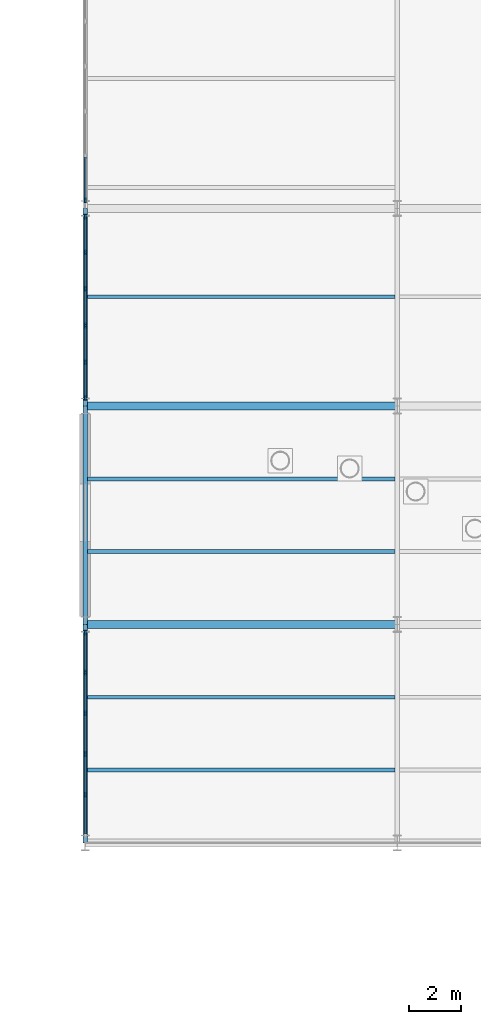
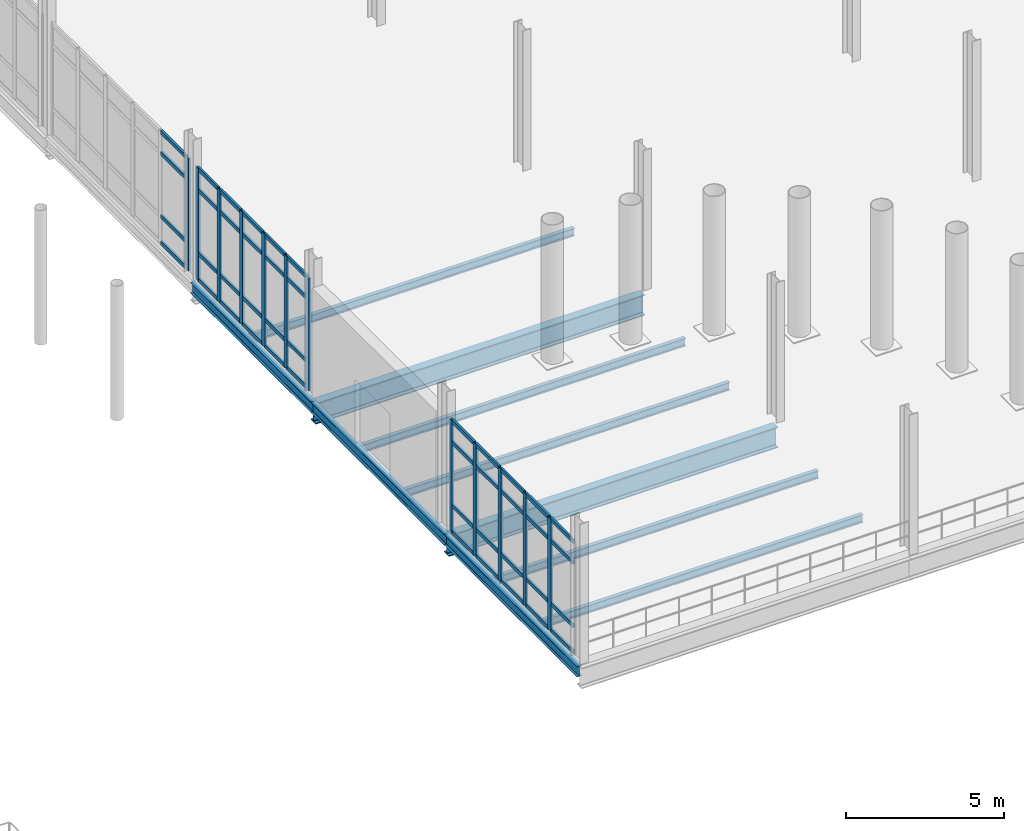
# One storey, part 56 of 111: 56 members, 10 beams, 3 elements without a shape of their own.
"""IFC4 building model written with IfcOpenShell, lengths in metres."""

from ifc_helpers import new_model, si_unit, direction, frame, origin, origin_2d, place, context, subcontext, project, spatial, rectangle, i_section, extrude, material, layer, layer_set, material_profile, profile_set, type_object, element, aggregate, save


model = new_model("IFC4")

# Units and contexts
model_context = context("Model", 3, precision=1e-05, world=origin(), true_north=direction((0.0, 1.0)))
body_context = subcontext(model_context, "Body", "Model", "MODEL_VIEW")
ifc_project = project(units=[si_unit("LENGTHUNIT", "METRE"), si_unit("AREAUNIT", "SQUARE_METRE"), si_unit("VOLUMEUNIT", "CUBIC_METRE"), si_unit("PLANEANGLEUNIT", "RADIAN"), si_unit("MASSUNIT", "GRAM", prefix="KILO"), si_unit("THERMODYNAMICTEMPERATUREUNIT", "KELVIN"), si_unit("POWERUNIT", "WATT")], contexts=[model_context])

# Site, building, storey
site_placement = place(None, origin())
site = spatial("IfcSite", under=ifc_project, at=site_placement, CompositionType="ELEMENT")
building_placement = place(site_placement, origin())
building = spatial("IfcBuilding", under=site, at=building_placement, Name="Tembeka Court Mobility Hub", CompositionType="ELEMENT")
storey_placement = place(building_placement, origin())
storey = spatial("IfcBuildingStorey", under=building, at=storey_placement, Name="L00", CompositionType="ELEMENT", Elevation=0.0)

# Beams
ifc_material_1 = material(Name="Steel S355", Category="steel")
ifc_material_profile_1 = material_profile(ifc_material_1, i_section(OverallWidth=0.177978515625, OverallDepth=0.406005859375, WebThickness=0.0078125, FlangeThickness=0.0126953125, FilletRadius=0.01025390625, at=origin_2d()), Name="UKB 406x178x60")
ifc_profile_set_1 = profile_set([ifc_material_profile_1], Name="Steel S355")
beam_type_1 = type_object("IfcBeamType", Name="BM-B02", PredefinedType="BEAM", material=ifc_profile_set_1)
for number, where, z_axis, x_axis, name in (
    (1, (116.39990234375, 63.60009765625, -0.48291015625), (0.0, 1.0, 0.0), (-1.0, 0.0, 0.0), "Beam B02 (BM-L00-Y0278)"),
    (2, (116.39990234375, 72.0, -0.48291015625), (0.0, 1.0, 0.0), (-1.0, 0.0, 0.0), "Beam B02 (BM-L00-Y0279)"),
):
    element("IfcBeam", number, at=place(storey_placement, frame(where, z_axis=z_axis, x_axis=x_axis)), inside=storey, type_object=beam_type_1, Name=name, PredefinedType="BEAM", context=body_context, shape_type="SweptSolid", body=[
        extrude(i_section(OverallWidth=0.177978515625, OverallDepth=0.406005859375, WebThickness=0.0078125, FlangeThickness=0.0126953125, FilletRadius=0.01025390625, at=origin_2d()), origin(), (0.0, 0.0, 1.0), 8.39990234375),
    ])
beam_placement = place(storey_placement, frame((116.39990234375, 80.39990234375, -0.48291015625), z_axis=(0.0, 1.0, 0.0), x_axis=(-1.0, 0.0, 0.0)))
element("IfcBeam", 3, at=beam_placement, inside=storey, type_object=beam_type_1, Name="Beam B02 (BM-L00-Y0280)", PredefinedType="BEAM", context=body_context, shape_type="SweptSolid", body=[
    extrude(i_section(OverallWidth=0.177978515625, OverallDepth=0.406005859375, WebThickness=0.0078125, FlangeThickness=0.0126953125, FilletRadius=0.01025390625, at=origin_2d()), origin(), (0.0, 0.0, 1.0), 7.60009765625),
])
ifc_material_profile_2 = material_profile(ifc_material_1, i_section(OverallWidth=0.300048828125, OverallDepth=0.800048828125, WebThickness=0.017578125, FlangeThickness=0.034912109375, FilletRadius=0.030029296875, at=origin_2d()), Name="HEB 800")
ifc_profile_set_2 = profile_set([ifc_material_profile_2], Name="Steel S355")
beam_type_2 = type_object("IfcBeamType", Name="BM-G04", PredefinedType="USERDEFINED", material=ifc_profile_set_2)
for number, where, z_axis, x_axis, name in (
    (4, (116.39990234375, 72.0, -0.679931640625), (1.0, 0.0, 0.0), (0.0, 1.0, 0.0), "Beam G04 (BM-L00-X0116)"),
    (5, (116.39990234375, 80.39990234375, -0.679931640625), (1.0, 0.0, 0.0), (0.0, 1.0, 0.0), "Beam G04 (BM-L00-X0131)"),
):
    element("IfcBeam", number, at=place(storey_placement, frame(where, z_axis=z_axis, x_axis=x_axis)), inside=storey, type_object=beam_type_2, Name=name, ObjectType="GIRDER", PredefinedType="USERDEFINED", context=body_context, shape_type="SweptSolid", body=[
        extrude(i_section(OverallWidth=0.300048828125, OverallDepth=0.800048828125, WebThickness=0.017578125, FlangeThickness=0.034912109375, FilletRadius=0.030029296875, at=origin_2d()), origin(), (0.0, 0.0, 1.0), 12.0),
    ])
ifc_material_profile_3 = material_profile(ifc_material_1, i_section(OverallWidth=0.14990234375, OverallDepth=0.300048828125, WebThickness=0.007080078125, FlangeThickness=0.0107421875, FilletRadius=0.014892578125, at=origin_2d()), Name="IPE 300")
ifc_profile_set_3 = profile_set([ifc_material_profile_3], Name="Steel S355")
beam_type_3 = type_object("IfcBeamType", Name="BM-J04", PredefinedType="JOIST", material=ifc_profile_set_3)
for number, where, z_axis, x_axis, name in (
    (6, (116.48388671875, 66.39990234375, -0.429931640625), (1.0, 0.0, 0.0), (0.0, 1.0, 0.0), "Beam J04 (JST-L00-0530)"),
    (7, (116.48388671875, 69.199951171875, -0.429931640625), (1.0, 0.0, 0.0), (0.0, 1.0, 0.0), "Beam J04 (JST-L00-0531)"),
    (8, (116.48388671875, 74.800048828125, -0.429931640625), (1.0, 0.0, 0.0), (0.0, 1.0, 0.0), "Beam J04 (JST-L00-0532)"),
    (9, (116.48388671875, 77.60009765625, -0.429931640625), (1.0, 0.0, 0.0), (0.0, 1.0, 0.0), "Beam J04 (JST-L00-0533)"),
    (10, (116.48388671875, 84.60009765625, -0.429931640625), (1.0, 0.0, 0.0), (0.0, 1.0, 0.0), "Beam J04 (JST-L00-0534)"),
):
    element("IfcBeam", number, at=place(storey_placement, frame(where, z_axis=z_axis, x_axis=x_axis)), inside=storey, type_object=beam_type_3, Name=name, PredefinedType="JOIST", context=body_context, shape_type="SweptSolid", body=[
        extrude(i_section(OverallWidth=0.14990234375, OverallDepth=0.300048828125, WebThickness=0.007080078125, FlangeThickness=0.0107421875, FilletRadius=0.014892578125, at=origin_2d()), origin(), (0.0, 0.0, 1.0), 11.83203125),
    ])

# Curtain wall, members
ifc_material_2 = material(Name="Anodised aluminium 6063-T6", Category="aluminium")
ifc_layer_1 = layer(ifc_material_2, 0.159912109375)
ifc_layer_set_1 = layer_set([ifc_layer_1], Name="Anodised aluminium 6063-T6")
curtain_wall_type_1 = type_object("IfcCurtainWallType", Name="CW-SYS01", PredefinedType="USERDEFINED", material=ifc_layer_set_1)
curtain_wall_1_placement = place(storey_placement, origin())
curtain_wall_1 = element("IfcCurtainWall", 11, at=curtain_wall_1_placement, inside=storey, type_object=curtain_wall_type_1, Name="Unitised curtain wall CW01 (CW-L00-083)", ObjectType="UNITISED GLAZING", PredefinedType="USERDEFINED")
ifc_material_profile_4 = material_profile(ifc_material_2, rectangle(XDim=0.074951171875, YDim=0.199951171875, at=origin_2d()), Name="ALU-MUL 75x200")
ifc_profile_set_4 = profile_set([ifc_material_profile_4], Name="Anodised aluminium 6063-T6")
member_type_1 = type_object("IfcMemberType", Name="CW-MUL02", PredefinedType="MULLION", material=ifc_profile_set_4)
member_1_placement = place(storey_placement, frame((116.39990234375, 65.447998046875, 0.0), z_axis=(0.0, 0.0, 1.0), x_axis=(-1.0, 0.0, 0.0)))
member_1 = element("IfcMember", 12, at=member_1_placement, type_object=member_type_1, Name="CW01 mullion 2", PredefinedType="MULLION", context=body_context, shape_type="SweptSolid", body=[
    extrude(rectangle(XDim=0.074951171875, YDim=0.199951171875, at=origin_2d()), origin(), (0.0, 0.0, 1.0), 4.3349609375),
])
member_2_placement = place(storey_placement, frame((116.39990234375, 67.01611328125, 0.0), z_axis=(0.0, 0.0, 1.0), x_axis=(-1.0, 0.0, 0.0)))
member_2 = element("IfcMember", 13, at=member_2_placement, type_object=member_type_1, Name="CW01 mullion 3", PredefinedType="MULLION", context=body_context, shape_type="SweptSolid", body=[
    extrude(rectangle(XDim=0.074951171875, YDim=0.199951171875, at=origin_2d()), origin(), (0.0, 0.0, 1.0), 4.3349609375),
])
member_3_placement = place(storey_placement, frame((116.39990234375, 68.583984375, 0.0), z_axis=(0.0, 0.0, 1.0), x_axis=(-1.0, 0.0, 0.0)))
member_3 = element("IfcMember", 14, at=member_3_placement, type_object=member_type_1, Name="CW01 mullion 4", PredefinedType="MULLION", context=body_context, shape_type="SweptSolid", body=[
    extrude(rectangle(XDim=0.074951171875, YDim=0.199951171875, at=origin_2d()), origin(), (0.0, 0.0, 1.0), 4.3349609375),
])
member_4_placement = place(storey_placement, frame((116.39990234375, 70.152099609375, 0.0), z_axis=(0.0, 0.0, 1.0), x_axis=(-1.0, 0.0, 0.0)))
member_4 = element("IfcMember", 15, at=member_4_placement, type_object=member_type_1, Name="CW01 mullion 5", PredefinedType="MULLION", context=body_context, shape_type="SweptSolid", body=[
    extrude(rectangle(XDim=0.074951171875, YDim=0.199951171875, at=origin_2d()), origin(), (0.0, 0.0, 1.0), 4.3349609375),
])
member_5_placement = place(storey_placement, frame((116.39990234375, 71.6826171875, 0.0), z_axis=(0.0, 0.0, 1.0), x_axis=(-1.0, 0.0, 0.0)))
member_5 = element("IfcMember", 16, at=member_5_placement, type_object=member_type_1, Name="CW01 mullion 6", PredefinedType="MULLION", context=body_context, shape_type="SweptSolid", body=[
    extrude(rectangle(XDim=0.074951171875, YDim=0.199951171875, at=origin_2d()), origin(), (0.0, 0.0, 1.0), 4.3349609375),
])

ifc_layer_2 = layer(ifc_material_2, 0.199951171875)
ifc_layer_set_2 = layer_set([ifc_layer_2], Name="Anodised aluminium 6063-T6")
curtain_wall_type_2 = type_object("IfcCurtainWallType", Name="CW-SYS27", PredefinedType="USERDEFINED", material=ifc_layer_set_2)
curtain_wall_2_placement = place(storey_placement, origin())
curtain_wall_2 = element("IfcCurtainWall", 17, at=curtain_wall_2_placement, inside=storey, type_object=curtain_wall_type_2, Name="Unitised curtain wall CW27 (CW-L00-086)", ObjectType="UNITISED GLAZING", PredefinedType="USERDEFINED")
member_6_placement = place(storey_placement, frame((116.39990234375, 80.717529296875, 0.0), z_axis=(0.0, 0.0, 1.0), x_axis=(-1.0, 0.0, 0.0)))
member_6 = element("IfcMember", 18, at=member_6_placement, type_object=member_type_1, Name="CW27 mullion 1", PredefinedType="MULLION", context=body_context, shape_type="SweptSolid", body=[
    extrude(rectangle(XDim=0.074951171875, YDim=0.199951171875, at=origin_2d()), origin(), (0.0, 0.0, 1.0), 4.3349609375),
])
member_7_placement = place(storey_placement, frame((116.39990234375, 82.087890625, 0.0), z_axis=(0.0, 0.0, 1.0), x_axis=(-1.0, 0.0, 0.0)))
member_7 = element("IfcMember", 19, at=member_7_placement, type_object=member_type_1, Name="CW27 mullion 2", PredefinedType="MULLION", context=body_context, shape_type="SweptSolid", body=[
    extrude(rectangle(XDim=0.074951171875, YDim=0.199951171875, at=origin_2d()), origin(), (0.0, 0.0, 1.0), 4.3349609375),
])
member_8_placement = place(storey_placement, frame((116.39990234375, 83.49609375, 0.0), z_axis=(0.0, 0.0, 1.0), x_axis=(-1.0, 0.0, 0.0)))
member_8 = element("IfcMember", 20, at=member_8_placement, type_object=member_type_1, Name="CW27 mullion 3", PredefinedType="MULLION", context=body_context, shape_type="SweptSolid", body=[
    extrude(rectangle(XDim=0.074951171875, YDim=0.199951171875, at=origin_2d()), origin(), (0.0, 0.0, 1.0), 4.3349609375),
])
member_9_placement = place(storey_placement, frame((116.39990234375, 84.904052734375, 0.0), z_axis=(0.0, 0.0, 1.0), x_axis=(-1.0, 0.0, 0.0)))
member_9 = element("IfcMember", 21, at=member_9_placement, type_object=member_type_1, Name="CW27 mullion 4", PredefinedType="MULLION", context=body_context, shape_type="SweptSolid", body=[
    extrude(rectangle(XDim=0.074951171875, YDim=0.199951171875, at=origin_2d()), origin(), (0.0, 0.0, 1.0), 4.3349609375),
])
member_10_placement = place(storey_placement, frame((116.39990234375, 86.31201171875, 0.0), z_axis=(0.0, 0.0, 1.0), x_axis=(-1.0, 0.0, 0.0)))
member_10 = element("IfcMember", 22, at=member_10_placement, type_object=member_type_1, Name="CW27 mullion 5", PredefinedType="MULLION", context=body_context, shape_type="SweptSolid", body=[
    extrude(rectangle(XDim=0.074951171875, YDim=0.199951171875, at=origin_2d()), origin(), (0.0, 0.0, 1.0), 4.3349609375),
])
member_11_placement = place(storey_placement, frame((116.39990234375, 87.6826171875, 0.0), z_axis=(0.0, 0.0, 1.0), x_axis=(-1.0, 0.0, 0.0)))
member_11 = element("IfcMember", 23, at=member_11_placement, type_object=member_type_1, Name="CW27 mullion 6", PredefinedType="MULLION", context=body_context, shape_type="SweptSolid", body=[
    extrude(rectangle(XDim=0.074951171875, YDim=0.199951171875, at=origin_2d()), origin(), (0.0, 0.0, 1.0), 4.3349609375),
])

# Curtain wall, member
ifc_layer_3 = layer(ifc_material_2, 0.199951171875)
ifc_layer_set_3 = layer_set([ifc_layer_3], Name="Anodised aluminium 6063-T6")
curtain_wall_type_3 = type_object("IfcCurtainWallType", Name="CW-SYS28", PredefinedType="USERDEFINED", material=ifc_layer_set_3)
curtain_wall_3_placement = place(storey_placement, origin())
curtain_wall_3 = element("IfcCurtainWall", 24, at=curtain_wall_3_placement, inside=storey, type_object=curtain_wall_type_3, Name="Unitised curtain wall CW28 (CW-L00-087)", ObjectType="UNITISED GLAZING", PredefinedType="USERDEFINED")
member_12_placement = place(storey_placement, frame((116.39990234375, 88.3173828125, 0.0), z_axis=(0.0, 0.0, 1.0), x_axis=(-1.0, 0.0, 0.0)))
member_12 = element("IfcMember", 25, at=member_12_placement, type_object=member_type_1, Name="CW28 mullion 1", PredefinedType="MULLION", context=body_context, shape_type="SweptSolid", body=[
    extrude(rectangle(XDim=0.074951171875, YDim=0.199951171875, at=origin_2d()), origin(), (0.0, 0.0, 1.0), 4.3349609375),
])

# Member
ifc_material_profile_5 = material_profile(ifc_material_2, rectangle(XDim=0.074951171875, YDim=0.14990234375, at=origin_2d()), Name="ALU-TRN 75x150")
ifc_profile_set_5 = profile_set([ifc_material_profile_5], Name="Anodised aluminium 6063-T6")
member_type_2 = type_object("IfcMemberType", Name="CW-TRN02", PredefinedType="USERDEFINED", material=ifc_profile_set_5)
member_13_placement = place(storey_placement, frame((116.39990234375, 63.955078125, 0.03759765625), z_axis=(0.0, 1.0, 0.0), x_axis=(-1.0, 0.0, 0.0)))
member_13 = element("IfcMember", 26, at=member_13_placement, type_object=member_type_2, Name="CW01 transom 1.1", ObjectType="TRANSOM", PredefinedType="USERDEFINED", context=body_context, shape_type="SweptSolid", body=[
    extrude(rectangle(XDim=0.074951171875, YDim=0.14990234375, at=origin_2d()), origin(), (0.0, 0.0, 1.0), 1.455322265625),
])

member_14_placement = place(storey_placement, frame((116.39990234375, 63.955078125, 1.050048828125), z_axis=(0.0, 1.0, 0.0), x_axis=(-1.0, 0.0, 0.0)))
member_14 = element("IfcMember", 27, at=member_14_placement, type_object=member_type_2, Name="CW01 transom 1.2", ObjectType="TRANSOM", PredefinedType="USERDEFINED", context=body_context, shape_type="SweptSolid", body=[
    extrude(rectangle(XDim=0.074951171875, YDim=0.14990234375, at=origin_2d()), origin(), (0.0, 0.0, 1.0), 1.455322265625),
])

member_15_placement = place(storey_placement, frame((116.39990234375, 63.955078125, 3.485107421875), z_axis=(0.0, 1.0, 0.0), x_axis=(-1.0, 0.0, 0.0)))
member_15 = element("IfcMember", 28, at=member_15_placement, type_object=member_type_2, Name="CW01 transom 1.3", ObjectType="TRANSOM", PredefinedType="USERDEFINED", context=body_context, shape_type="SweptSolid", body=[
    extrude(rectangle(XDim=0.074951171875, YDim=0.14990234375, at=origin_2d()), origin(), (0.0, 0.0, 1.0), 1.455322265625),
])

member_16_placement = place(storey_placement, frame((116.39990234375, 63.955078125, 4.297607421875), z_axis=(0.0, 1.0, 0.0), x_axis=(-1.0, 0.0, 0.0)))
member_16 = element("IfcMember", 29, at=member_16_placement, type_object=member_type_2, Name="CW01 transom 1.4", ObjectType="TRANSOM", PredefinedType="USERDEFINED", context=body_context, shape_type="SweptSolid", body=[
    extrude(rectangle(XDim=0.074951171875, YDim=0.14990234375, at=origin_2d()), origin(), (0.0, 0.0, 1.0), 1.455322265625),
])

member_17_placement = place(storey_placement, frame((116.39990234375, 65.485595703125, 0.03759765625), z_axis=(0.0, 1.0, 0.0), x_axis=(-1.0, 0.0, 0.0)))
member_17 = element("IfcMember", 30, at=member_17_placement, type_object=member_type_2, Name="CW01 transom 2.1", ObjectType="TRANSOM", PredefinedType="USERDEFINED", context=body_context, shape_type="SweptSolid", body=[
    extrude(rectangle(XDim=0.074951171875, YDim=0.14990234375, at=origin_2d()), origin(), (0.0, 0.0, 1.0), 1.492919921875),
])

member_18_placement = place(storey_placement, frame((116.39990234375, 65.485595703125, 1.050048828125), z_axis=(0.0, 1.0, 0.0), x_axis=(-1.0, 0.0, 0.0)))
member_18 = element("IfcMember", 31, at=member_18_placement, type_object=member_type_2, Name="CW01 transom 2.2", ObjectType="TRANSOM", PredefinedType="USERDEFINED", context=body_context, shape_type="SweptSolid", body=[
    extrude(rectangle(XDim=0.074951171875, YDim=0.14990234375, at=origin_2d()), origin(), (0.0, 0.0, 1.0), 1.492919921875),
])

member_19_placement = place(storey_placement, frame((116.39990234375, 65.485595703125, 3.485107421875), z_axis=(0.0, 1.0, 0.0), x_axis=(-1.0, 0.0, 0.0)))
member_19 = element("IfcMember", 32, at=member_19_placement, type_object=member_type_2, Name="CW01 transom 2.3", ObjectType="TRANSOM", PredefinedType="USERDEFINED", context=body_context, shape_type="SweptSolid", body=[
    extrude(rectangle(XDim=0.074951171875, YDim=0.14990234375, at=origin_2d()), origin(), (0.0, 0.0, 1.0), 1.492919921875),
])

member_20_placement = place(storey_placement, frame((116.39990234375, 65.485595703125, 4.297607421875), z_axis=(0.0, 1.0, 0.0), x_axis=(-1.0, 0.0, 0.0)))
member_20 = element("IfcMember", 33, at=member_20_placement, type_object=member_type_2, Name="CW01 transom 2.4", ObjectType="TRANSOM", PredefinedType="USERDEFINED", context=body_context, shape_type="SweptSolid", body=[
    extrude(rectangle(XDim=0.074951171875, YDim=0.14990234375, at=origin_2d()), origin(), (0.0, 0.0, 1.0), 1.492919921875),
])

member_21_placement = place(storey_placement, frame((116.39990234375, 67.053466796875, 0.03759765625), z_axis=(0.0, 1.0, 0.0), x_axis=(-1.0, 0.0, 0.0)))
member_21 = element("IfcMember", 34, at=member_21_placement, type_object=member_type_2, Name="CW01 transom 3.1", ObjectType="TRANSOM", PredefinedType="USERDEFINED", context=body_context, shape_type="SweptSolid", body=[
    extrude(rectangle(XDim=0.074951171875, YDim=0.14990234375, at=origin_2d()), origin(), (0.0, 0.0, 1.0), 1.492919921875),
])

member_22_placement = place(storey_placement, frame((116.39990234375, 67.053466796875, 1.050048828125), z_axis=(0.0, 1.0, 0.0), x_axis=(-1.0, 0.0, 0.0)))
member_22 = element("IfcMember", 35, at=member_22_placement, type_object=member_type_2, Name="CW01 transom 3.2", ObjectType="TRANSOM", PredefinedType="USERDEFINED", context=body_context, shape_type="SweptSolid", body=[
    extrude(rectangle(XDim=0.074951171875, YDim=0.14990234375, at=origin_2d()), origin(), (0.0, 0.0, 1.0), 1.492919921875),
])

member_23_placement = place(storey_placement, frame((116.39990234375, 67.053466796875, 3.485107421875), z_axis=(0.0, 1.0, 0.0), x_axis=(-1.0, 0.0, 0.0)))
member_23 = element("IfcMember", 36, at=member_23_placement, type_object=member_type_2, Name="CW01 transom 3.3", ObjectType="TRANSOM", PredefinedType="USERDEFINED", context=body_context, shape_type="SweptSolid", body=[
    extrude(rectangle(XDim=0.074951171875, YDim=0.14990234375, at=origin_2d()), origin(), (0.0, 0.0, 1.0), 1.492919921875),
])

member_24_placement = place(storey_placement, frame((116.39990234375, 67.053466796875, 4.297607421875), z_axis=(0.0, 1.0, 0.0), x_axis=(-1.0, 0.0, 0.0)))
member_24 = element("IfcMember", 37, at=member_24_placement, type_object=member_type_2, Name="CW01 transom 3.4", ObjectType="TRANSOM", PredefinedType="USERDEFINED", context=body_context, shape_type="SweptSolid", body=[
    extrude(rectangle(XDim=0.074951171875, YDim=0.14990234375, at=origin_2d()), origin(), (0.0, 0.0, 1.0), 1.492919921875),
])

member_25_placement = place(storey_placement, frame((116.39990234375, 68.62158203125, 0.03759765625), z_axis=(0.0, 1.0, 0.0), x_axis=(-1.0, 0.0, 0.0)))
member_25 = element("IfcMember", 38, at=member_25_placement, type_object=member_type_2, Name="CW01 transom 4.1", ObjectType="TRANSOM", PredefinedType="USERDEFINED", context=body_context, shape_type="SweptSolid", body=[
    extrude(rectangle(XDim=0.074951171875, YDim=0.14990234375, at=origin_2d()), origin(), (0.0, 0.0, 1.0), 1.492919921875),
])

member_26_placement = place(storey_placement, frame((116.39990234375, 68.62158203125, 1.050048828125), z_axis=(0.0, 1.0, 0.0), x_axis=(-1.0, 0.0, 0.0)))
member_26 = element("IfcMember", 39, at=member_26_placement, type_object=member_type_2, Name="CW01 transom 4.2", ObjectType="TRANSOM", PredefinedType="USERDEFINED", context=body_context, shape_type="SweptSolid", body=[
    extrude(rectangle(XDim=0.074951171875, YDim=0.14990234375, at=origin_2d()), origin(), (0.0, 0.0, 1.0), 1.492919921875),
])

member_27_placement = place(storey_placement, frame((116.39990234375, 68.62158203125, 3.485107421875), z_axis=(0.0, 1.0, 0.0), x_axis=(-1.0, 0.0, 0.0)))
member_27 = element("IfcMember", 40, at=member_27_placement, type_object=member_type_2, Name="CW01 transom 4.3", ObjectType="TRANSOM", PredefinedType="USERDEFINED", context=body_context, shape_type="SweptSolid", body=[
    extrude(rectangle(XDim=0.074951171875, YDim=0.14990234375, at=origin_2d()), origin(), (0.0, 0.0, 1.0), 1.492919921875),
])

member_28_placement = place(storey_placement, frame((116.39990234375, 68.62158203125, 4.297607421875), z_axis=(0.0, 1.0, 0.0), x_axis=(-1.0, 0.0, 0.0)))
member_28 = element("IfcMember", 41, at=member_28_placement, type_object=member_type_2, Name="CW01 transom 4.4", ObjectType="TRANSOM", PredefinedType="USERDEFINED", context=body_context, shape_type="SweptSolid", body=[
    extrude(rectangle(XDim=0.074951171875, YDim=0.14990234375, at=origin_2d()), origin(), (0.0, 0.0, 1.0), 1.492919921875),
])

member_29_placement = place(storey_placement, frame((116.39990234375, 70.189453125, 0.03759765625), z_axis=(0.0, 1.0, 0.0), x_axis=(-1.0, 0.0, 0.0)))
member_29 = element("IfcMember", 42, at=member_29_placement, type_object=member_type_2, Name="CW01 transom 5.1", ObjectType="TRANSOM", PredefinedType="USERDEFINED", context=body_context, shape_type="SweptSolid", body=[
    extrude(rectangle(XDim=0.074951171875, YDim=0.14990234375, at=origin_2d()), origin(), (0.0, 0.0, 1.0), 1.45556640625),
])

member_30_placement = place(storey_placement, frame((116.39990234375, 70.189453125, 1.050048828125), z_axis=(0.0, 1.0, 0.0), x_axis=(-1.0, 0.0, 0.0)))
member_30 = element("IfcMember", 43, at=member_30_placement, type_object=member_type_2, Name="CW01 transom 5.2", ObjectType="TRANSOM", PredefinedType="USERDEFINED", context=body_context, shape_type="SweptSolid", body=[
    extrude(rectangle(XDim=0.074951171875, YDim=0.14990234375, at=origin_2d()), origin(), (0.0, 0.0, 1.0), 1.45556640625),
])

member_31_placement = place(storey_placement, frame((116.39990234375, 70.189453125, 3.485107421875), z_axis=(0.0, 1.0, 0.0), x_axis=(-1.0, 0.0, 0.0)))
member_31 = element("IfcMember", 44, at=member_31_placement, type_object=member_type_2, Name="CW01 transom 5.3", ObjectType="TRANSOM", PredefinedType="USERDEFINED", context=body_context, shape_type="SweptSolid", body=[
    extrude(rectangle(XDim=0.074951171875, YDim=0.14990234375, at=origin_2d()), origin(), (0.0, 0.0, 1.0), 1.45556640625),
])

member_32_placement = place(storey_placement, frame((116.39990234375, 70.189453125, 4.297607421875), z_axis=(0.0, 1.0, 0.0), x_axis=(-1.0, 0.0, 0.0)))
member_32 = element("IfcMember", 45, at=member_32_placement, type_object=member_type_2, Name="CW01 transom 5.4", ObjectType="TRANSOM", PredefinedType="USERDEFINED", context=body_context, shape_type="SweptSolid", body=[
    extrude(rectangle(XDim=0.074951171875, YDim=0.14990234375, at=origin_2d()), origin(), (0.0, 0.0, 1.0), 1.45556640625),
])

aggregate(curtain_wall_1, [member_1, member_2, member_3, member_4, member_5, member_13, member_14, member_15, member_16, member_17, member_18, member_19, member_20, member_21, member_22, member_23, member_24, member_25, member_26, member_27, member_28, member_29, member_30, member_31, member_32])

member_33_placement = place(storey_placement, frame((116.39990234375, 80.7548828125, 0.03759765625), z_axis=(0.0, 1.0, 0.0), x_axis=(-1.0, 0.0, 0.0)))
member_33 = element("IfcMember", 46, at=member_33_placement, type_object=member_type_2, Name="CW27 transom 1.1", ObjectType="TRANSOM", PredefinedType="USERDEFINED", context=body_context, shape_type="SweptSolid", body=[
    extrude(rectangle(XDim=0.074951171875, YDim=0.14990234375, at=origin_2d()), origin(), (0.0, 0.0, 1.0), 1.295654296875),
])

member_34_placement = place(storey_placement, frame((116.39990234375, 80.7548828125, 1.050048828125), z_axis=(0.0, 1.0, 0.0), x_axis=(-1.0, 0.0, 0.0)))
member_34 = element("IfcMember", 47, at=member_34_placement, type_object=member_type_2, Name="CW27 transom 1.2", ObjectType="TRANSOM", PredefinedType="USERDEFINED", context=body_context, shape_type="SweptSolid", body=[
    extrude(rectangle(XDim=0.074951171875, YDim=0.14990234375, at=origin_2d()), origin(), (0.0, 0.0, 1.0), 1.295654296875),
])

member_35_placement = place(storey_placement, frame((116.39990234375, 80.7548828125, 3.485107421875), z_axis=(0.0, 1.0, 0.0), x_axis=(-1.0, 0.0, 0.0)))
member_35 = element("IfcMember", 48, at=member_35_placement, type_object=member_type_2, Name="CW27 transom 1.3", ObjectType="TRANSOM", PredefinedType="USERDEFINED", context=body_context, shape_type="SweptSolid", body=[
    extrude(rectangle(XDim=0.074951171875, YDim=0.14990234375, at=origin_2d()), origin(), (0.0, 0.0, 1.0), 1.295654296875),
])

member_36_placement = place(storey_placement, frame((116.39990234375, 80.7548828125, 4.297607421875), z_axis=(0.0, 1.0, 0.0), x_axis=(-1.0, 0.0, 0.0)))
member_36 = element("IfcMember", 49, at=member_36_placement, type_object=member_type_2, Name="CW27 transom 1.4", ObjectType="TRANSOM", PredefinedType="USERDEFINED", context=body_context, shape_type="SweptSolid", body=[
    extrude(rectangle(XDim=0.074951171875, YDim=0.14990234375, at=origin_2d()), origin(), (0.0, 0.0, 1.0), 1.295654296875),
])

member_37_placement = place(storey_placement, frame((116.39990234375, 82.12548828125, 0.03759765625), z_axis=(0.0, 1.0, 0.0), x_axis=(-1.0, 0.0, 0.0)))
member_37 = element("IfcMember", 50, at=member_37_placement, type_object=member_type_2, Name="CW27 transom 2.1", ObjectType="TRANSOM", PredefinedType="USERDEFINED", context=body_context, shape_type="SweptSolid", body=[
    extrude(rectangle(XDim=0.074951171875, YDim=0.14990234375, at=origin_2d()), origin(), (0.0, 0.0, 1.0), 1.3330078125),
])

member_38_placement = place(storey_placement, frame((116.39990234375, 82.12548828125, 1.050048828125), z_axis=(0.0, 1.0, 0.0), x_axis=(-1.0, 0.0, 0.0)))
member_38 = element("IfcMember", 51, at=member_38_placement, type_object=member_type_2, Name="CW27 transom 2.2", ObjectType="TRANSOM", PredefinedType="USERDEFINED", context=body_context, shape_type="SweptSolid", body=[
    extrude(rectangle(XDim=0.074951171875, YDim=0.14990234375, at=origin_2d()), origin(), (0.0, 0.0, 1.0), 1.3330078125),
])

member_39_placement = place(storey_placement, frame((116.39990234375, 82.12548828125, 3.485107421875), z_axis=(0.0, 1.0, 0.0), x_axis=(-1.0, 0.0, 0.0)))
member_39 = element("IfcMember", 52, at=member_39_placement, type_object=member_type_2, Name="CW27 transom 2.3", ObjectType="TRANSOM", PredefinedType="USERDEFINED", context=body_context, shape_type="SweptSolid", body=[
    extrude(rectangle(XDim=0.074951171875, YDim=0.14990234375, at=origin_2d()), origin(), (0.0, 0.0, 1.0), 1.3330078125),
])

member_40_placement = place(storey_placement, frame((116.39990234375, 82.12548828125, 4.297607421875), z_axis=(0.0, 1.0, 0.0), x_axis=(-1.0, 0.0, 0.0)))
member_40 = element("IfcMember", 53, at=member_40_placement, type_object=member_type_2, Name="CW27 transom 2.4", ObjectType="TRANSOM", PredefinedType="USERDEFINED", context=body_context, shape_type="SweptSolid", body=[
    extrude(rectangle(XDim=0.074951171875, YDim=0.14990234375, at=origin_2d()), origin(), (0.0, 0.0, 1.0), 1.3330078125),
])

member_41_placement = place(storey_placement, frame((116.39990234375, 83.533447265625, 0.03759765625), z_axis=(0.0, 1.0, 0.0), x_axis=(-1.0, 0.0, 0.0)))
member_41 = element("IfcMember", 54, at=member_41_placement, type_object=member_type_2, Name="CW27 transom 3.1", ObjectType="TRANSOM", PredefinedType="USERDEFINED", context=body_context, shape_type="SweptSolid", body=[
    extrude(rectangle(XDim=0.074951171875, YDim=0.14990234375, at=origin_2d()), origin(), (0.0, 0.0, 1.0), 1.3330078125),
])

member_42_placement = place(storey_placement, frame((116.39990234375, 83.533447265625, 1.050048828125), z_axis=(0.0, 1.0, 0.0), x_axis=(-1.0, 0.0, 0.0)))
member_42 = element("IfcMember", 55, at=member_42_placement, type_object=member_type_2, Name="CW27 transom 3.2", ObjectType="TRANSOM", PredefinedType="USERDEFINED", context=body_context, shape_type="SweptSolid", body=[
    extrude(rectangle(XDim=0.074951171875, YDim=0.14990234375, at=origin_2d()), origin(), (0.0, 0.0, 1.0), 1.3330078125),
])

member_43_placement = place(storey_placement, frame((116.39990234375, 83.533447265625, 3.485107421875), z_axis=(0.0, 1.0, 0.0), x_axis=(-1.0, 0.0, 0.0)))
member_43 = element("IfcMember", 56, at=member_43_placement, type_object=member_type_2, Name="CW27 transom 3.3", ObjectType="TRANSOM", PredefinedType="USERDEFINED", context=body_context, shape_type="SweptSolid", body=[
    extrude(rectangle(XDim=0.074951171875, YDim=0.14990234375, at=origin_2d()), origin(), (0.0, 0.0, 1.0), 1.3330078125),
])

member_44_placement = place(storey_placement, frame((116.39990234375, 83.533447265625, 4.297607421875), z_axis=(0.0, 1.0, 0.0), x_axis=(-1.0, 0.0, 0.0)))
member_44 = element("IfcMember", 57, at=member_44_placement, type_object=member_type_2, Name="CW27 transom 3.4", ObjectType="TRANSOM", PredefinedType="USERDEFINED", context=body_context, shape_type="SweptSolid", body=[
    extrude(rectangle(XDim=0.074951171875, YDim=0.14990234375, at=origin_2d()), origin(), (0.0, 0.0, 1.0), 1.3330078125),
])

member_45_placement = place(storey_placement, frame((116.39990234375, 84.94140625, 0.03759765625), z_axis=(0.0, 1.0, 0.0), x_axis=(-1.0, 0.0, 0.0)))
member_45 = element("IfcMember", 58, at=member_45_placement, type_object=member_type_2, Name="CW27 transom 4.1", ObjectType="TRANSOM", PredefinedType="USERDEFINED", context=body_context, shape_type="SweptSolid", body=[
    extrude(rectangle(XDim=0.074951171875, YDim=0.14990234375, at=origin_2d()), origin(), (0.0, 0.0, 1.0), 1.3330078125),
])

member_46_placement = place(storey_placement, frame((116.39990234375, 84.94140625, 1.050048828125), z_axis=(0.0, 1.0, 0.0), x_axis=(-1.0, 0.0, 0.0)))
member_46 = element("IfcMember", 59, at=member_46_placement, type_object=member_type_2, Name="CW27 transom 4.2", ObjectType="TRANSOM", PredefinedType="USERDEFINED", context=body_context, shape_type="SweptSolid", body=[
    extrude(rectangle(XDim=0.074951171875, YDim=0.14990234375, at=origin_2d()), origin(), (0.0, 0.0, 1.0), 1.3330078125),
])

member_47_placement = place(storey_placement, frame((116.39990234375, 84.94140625, 3.485107421875), z_axis=(0.0, 1.0, 0.0), x_axis=(-1.0, 0.0, 0.0)))
member_47 = element("IfcMember", 60, at=member_47_placement, type_object=member_type_2, Name="CW27 transom 4.3", ObjectType="TRANSOM", PredefinedType="USERDEFINED", context=body_context, shape_type="SweptSolid", body=[
    extrude(rectangle(XDim=0.074951171875, YDim=0.14990234375, at=origin_2d()), origin(), (0.0, 0.0, 1.0), 1.3330078125),
])

member_48_placement = place(storey_placement, frame((116.39990234375, 84.94140625, 4.297607421875), z_axis=(0.0, 1.0, 0.0), x_axis=(-1.0, 0.0, 0.0)))
member_48 = element("IfcMember", 61, at=member_48_placement, type_object=member_type_2, Name="CW27 transom 4.4", ObjectType="TRANSOM", PredefinedType="USERDEFINED", context=body_context, shape_type="SweptSolid", body=[
    extrude(rectangle(XDim=0.074951171875, YDim=0.14990234375, at=origin_2d()), origin(), (0.0, 0.0, 1.0), 1.3330078125),
])

member_49_placement = place(storey_placement, frame((116.39990234375, 86.349609375, 0.03759765625), z_axis=(0.0, 1.0, 0.0), x_axis=(-1.0, 0.0, 0.0)))
member_49 = element("IfcMember", 62, at=member_49_placement, type_object=member_type_2, Name="CW27 transom 5.1", ObjectType="TRANSOM", PredefinedType="USERDEFINED", context=body_context, shape_type="SweptSolid", body=[
    extrude(rectangle(XDim=0.074951171875, YDim=0.14990234375, at=origin_2d()), origin(), (0.0, 0.0, 1.0), 1.29541015625),
])

member_50_placement = place(storey_placement, frame((116.39990234375, 86.349609375, 1.050048828125), z_axis=(0.0, 1.0, 0.0), x_axis=(-1.0, 0.0, 0.0)))
member_50 = element("IfcMember", 63, at=member_50_placement, type_object=member_type_2, Name="CW27 transom 5.2", ObjectType="TRANSOM", PredefinedType="USERDEFINED", context=body_context, shape_type="SweptSolid", body=[
    extrude(rectangle(XDim=0.074951171875, YDim=0.14990234375, at=origin_2d()), origin(), (0.0, 0.0, 1.0), 1.29541015625),
])

member_51_placement = place(storey_placement, frame((116.39990234375, 86.349609375, 3.485107421875), z_axis=(0.0, 1.0, 0.0), x_axis=(-1.0, 0.0, 0.0)))
member_51 = element("IfcMember", 64, at=member_51_placement, type_object=member_type_2, Name="CW27 transom 5.3", ObjectType="TRANSOM", PredefinedType="USERDEFINED", context=body_context, shape_type="SweptSolid", body=[
    extrude(rectangle(XDim=0.074951171875, YDim=0.14990234375, at=origin_2d()), origin(), (0.0, 0.0, 1.0), 1.29541015625),
])

member_52_placement = place(storey_placement, frame((116.39990234375, 86.349609375, 4.297607421875), z_axis=(0.0, 1.0, 0.0), x_axis=(-1.0, 0.0, 0.0)))
member_52 = element("IfcMember", 65, at=member_52_placement, type_object=member_type_2, Name="CW27 transom 5.4", ObjectType="TRANSOM", PredefinedType="USERDEFINED", context=body_context, shape_type="SweptSolid", body=[
    extrude(rectangle(XDim=0.074951171875, YDim=0.14990234375, at=origin_2d()), origin(), (0.0, 0.0, 1.0), 1.29541015625),
])

aggregate(curtain_wall_2, [member_6, member_7, member_8, member_9, member_10, member_11, member_33, member_34, member_35, member_36, member_37, member_38, member_39, member_40, member_41, member_42, member_43, member_44, member_45, member_46, member_47, member_48, member_49, member_50, member_51, member_52])

member_53_placement = place(storey_placement, frame((116.39990234375, 88.35498046875, 0.03759765625), z_axis=(0.0, 1.0, 0.0), x_axis=(-1.0, 0.0, 0.0)))
member_53 = element("IfcMember", 66, at=member_53_placement, type_object=member_type_2, Name="CW28 transom 1.1", ObjectType="TRANSOM", PredefinedType="USERDEFINED", context=body_context, shape_type="SweptSolid", body=[
    extrude(rectangle(XDim=0.074951171875, YDim=0.14990234375, at=origin_2d()), origin(), (0.0, 0.0, 1.0), 1.615478515625),
])

member_54_placement = place(storey_placement, frame((116.39990234375, 88.35498046875, 1.050048828125), z_axis=(0.0, 1.0, 0.0), x_axis=(-1.0, 0.0, 0.0)))
member_54 = element("IfcMember", 67, at=member_54_placement, type_object=member_type_2, Name="CW28 transom 1.2", ObjectType="TRANSOM", PredefinedType="USERDEFINED", context=body_context, shape_type="SweptSolid", body=[
    extrude(rectangle(XDim=0.074951171875, YDim=0.14990234375, at=origin_2d()), origin(), (0.0, 0.0, 1.0), 1.615478515625),
])

member_55_placement = place(storey_placement, frame((116.39990234375, 88.35498046875, 3.485107421875), z_axis=(0.0, 1.0, 0.0), x_axis=(-1.0, 0.0, 0.0)))
member_55 = element("IfcMember", 68, at=member_55_placement, type_object=member_type_2, Name="CW28 transom 1.3", ObjectType="TRANSOM", PredefinedType="USERDEFINED", context=body_context, shape_type="SweptSolid", body=[
    extrude(rectangle(XDim=0.074951171875, YDim=0.14990234375, at=origin_2d()), origin(), (0.0, 0.0, 1.0), 1.615478515625),
])

member_56_placement = place(storey_placement, frame((116.39990234375, 88.35498046875, 4.297607421875), z_axis=(0.0, 1.0, 0.0), x_axis=(-1.0, 0.0, 0.0)))
member_56 = element("IfcMember", 69, at=member_56_placement, type_object=member_type_2, Name="CW28 transom 1.4", ObjectType="TRANSOM", PredefinedType="USERDEFINED", context=body_context, shape_type="SweptSolid", body=[
    extrude(rectangle(XDim=0.074951171875, YDim=0.14990234375, at=origin_2d()), origin(), (0.0, 0.0, 1.0), 1.615478515625),
])

aggregate(curtain_wall_3, [member_12, member_53, member_54, member_55, member_56])

save(model, "model.ifc")
